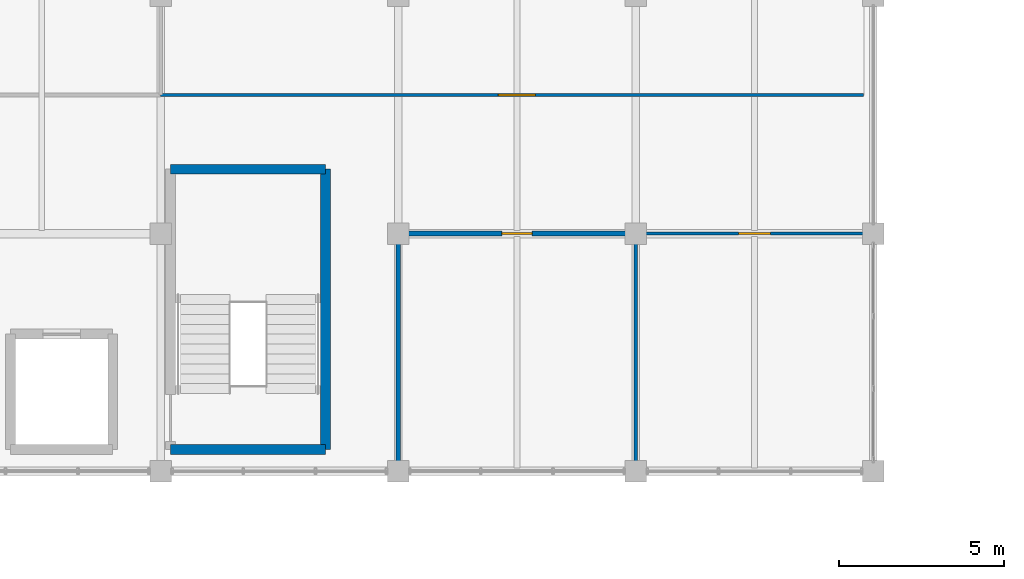
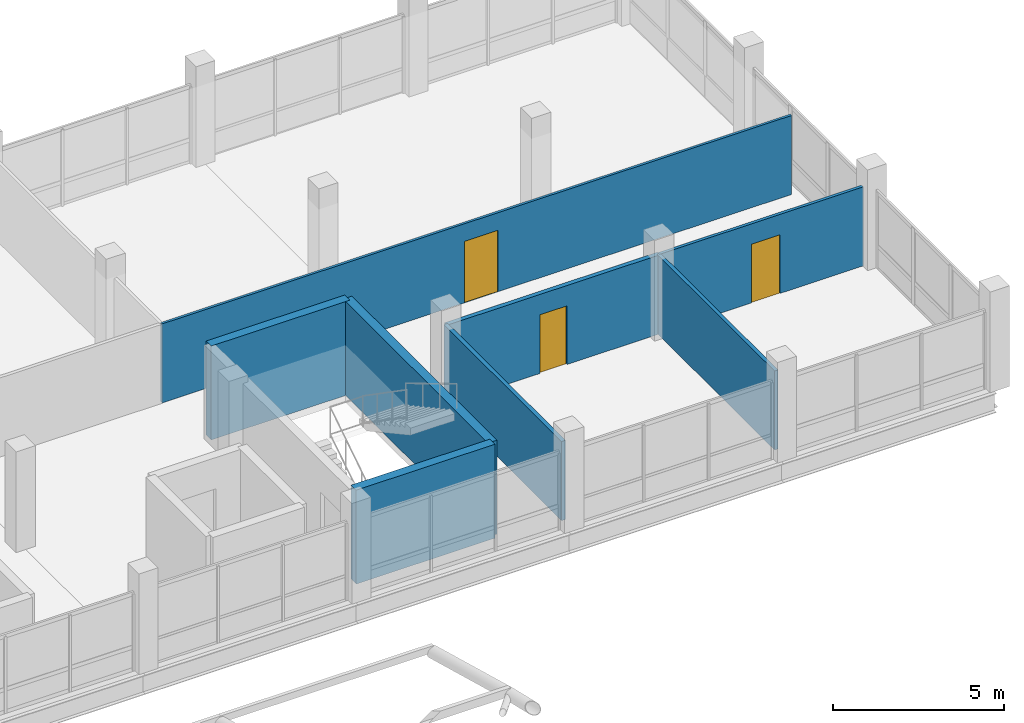
# One storey, part 61 of 96: 8 walls, 3 doors, 3 openings.
"""IFC4 building model written with IfcOpenShell, lengths in metres."""

import ifcopenshell
import ifcopenshell.guid

model = None  # the IFC model being written
_history = None  # IfcOwnerHistory: only IFC2X3 demands one
_inside = {}  # id of a spatial element -> (the spatial element, [elements in it])
_under = {}  # id of a project, library or spatial element -> (it, [spatial elements below it])
_declared = {}  # id of a project -> (the project, [libraries it declares])
_typed = {}  # id of a type object -> (the type object, [elements of that type])
_made_of = {}  # id of a material, layer set ... -> (it, [elements and type objects made of it])


def new_model(schema):
    """Start an empty IFC model of exactly this schema.

    Asked for "IFC4X3", IfcOpenShell would pick the latest addendum, in which some entities
    have other attributes; the version numbers below select the first issue.
    IFC2X3 requires an IfcOwnerHistory on every rooted entity: one is made here for all.
    """
    global model, _history
    if schema == "IFC4X3":
        model = ifcopenshell.file(schema_version=(4, 3, 0, 0))
    else:
        model = ifcopenshell.file(schema=schema)
    _inside.clear()
    _under.clear()
    _declared.clear()
    _typed.clear()
    _made_of.clear()
    _history = None
    if model.schema == "IFC2X3":
        org = make("IfcOrganization", Name="unknown")
        user = make(
            "IfcPersonAndOrganization",
            ThePerson=make("IfcPerson", FamilyName="unknown"),
            TheOrganization=org,
        )
        app = make(
            "IfcApplication",
            ApplicationDeveloper=org,
            Version="unknown",
            ApplicationFullName="unknown",
            ApplicationIdentifier="unknown",
        )
        _history = make(
            "IfcOwnerHistory",
            OwningUser=user,
            OwningApplication=app,
            ChangeAction="ADDED",
            CreationDate=0,
        )
    return model


def make(cls, **values):
    """One entity of the class cls with the attributes given. An attribute that is None is left unset."""
    return model.create_entity(
        cls, **{name: value for name, value in values.items() if value is not None}
    )


def rooted(cls, **values):
    """An entity with a GlobalId (a new one), such as an element, a storey or a relation."""
    return make(cls, GlobalId=ifcopenshell.guid.new(), OwnerHistory=_history, **values)


def si_unit(unit_type, name, prefix=None):
    """IfcSIUnit, for example si_unit("LENGTHUNIT", "METRE", prefix="MILLI")."""
    return make("IfcSIUnit", UnitType=unit_type, Prefix=prefix, Name=name)


def assignment(units):
    """IfcUnitAssignment: the units of a project."""
    return None if units is None else make("IfcUnitAssignment", Units=units)


def point(xyz):
    """IfcCartesianPoint."""
    return None if xyz is None else make("IfcCartesianPoint", Coordinates=xyz)


def direction(xyz):
    """IfcDirection."""
    return None if xyz is None else make("IfcDirection", DirectionRatios=xyz)


def frame(location, z_axis=None, x_axis=None):
    """IfcAxis2Placement3D, a coordinate frame: its origin and axes. An axis left out is left unset."""
    return make(
        "IfcAxis2Placement3D",
        Location=point(location),
        Axis=direction(z_axis),
        RefDirection=direction(x_axis),
    )


def frame_2d(location, x_axis=None):
    """IfcAxis2Placement2D, a coordinate frame in the plane: its origin and x axis."""
    return make(
        "IfcAxis2Placement2D", Location=point(location), RefDirection=direction(x_axis)
    )


def origin():
    """The frame at (0, 0, 0) with its axes left unset."""
    return frame((0.0, 0.0, 0.0))


def place(relative_to, where):
    """IfcLocalPlacement: puts the frame where relative to a parent placement (None: the world)."""
    return make(
        "IfcLocalPlacement", PlacementRelTo=relative_to, RelativePlacement=where
    )


def context(
    kind, dimensions, precision=None, world=None, true_north=None, identifier=None
):
    """IfcGeometricRepresentationContext, for example the 3D "Model" context."""
    return make(
        "IfcGeometricRepresentationContext",
        ContextIdentifier=identifier,
        ContextType=kind,
        CoordinateSpaceDimension=dimensions,
        Precision=precision,
        WorldCoordinateSystem=world,
        TrueNorth=true_north,
    )


def subcontext(parent, identifier, kind, view, scale=None):
    """IfcGeometricRepresentationSubContext, for example "Body" below "Model"."""
    return make(
        "IfcGeometricRepresentationSubContext",
        ContextIdentifier=identifier,
        ContextType=kind,
        ParentContext=parent,
        TargetScale=scale,
        TargetView=view,
    )


def project(units=None, contexts=None):
    """IfcProject with its units and contexts."""
    return rooted(
        "IfcProject",
        Name="project",
        RepresentationContexts=contexts,
        UnitsInContext=assignment(units),
    )


def spatial(cls, under=None, at=None, **own):
    """A site, building, storey or space (cls), placed at a placement, below another one or the project."""
    s = rooted(cls, ObjectPlacement=at, **own)
    if under is not None:
        _under.setdefault(under.id(), (under, []))[1].append(s)
    return s


def profile(cls, at=None, kind="AREA", **sizes):
    """A parametric profile (cls). Its sizes go by their IFC names, for example OverallWidth=200.0."""
    return make(cls, ProfileType=kind, Position=at, **sizes)


def rectangle(**sizes):
    """IfcRectangleProfileDef."""
    return profile("IfcRectangleProfileDef", **sizes)


def extrude(swept, where, along, depth):
    """IfcExtrudedAreaSolid: the profile swept, set in the frame where, extruded along a direction by depth."""
    return make(
        "IfcExtrudedAreaSolid",
        SweptArea=swept,
        Position=where,
        ExtrudedDirection=direction(along),
        Depth=depth,
    )


def shape(context_of_items, identifier, shape_type, items):
    """IfcShapeRepresentation: the items that make up one representation, for example the "Body"."""
    return make(
        "IfcShapeRepresentation",
        ContextOfItems=context_of_items,
        RepresentationIdentifier=identifier,
        RepresentationType=shape_type,
        Items=items,
    )


def material(Name=None, Category=None):
    """IfcMaterial."""
    return make("IfcMaterial", Name=Name, Category=Category)


def layer(
    of_material, thickness, ventilated=None, Name=None, Category=None, Priority=None
):
    """IfcMaterialLayer: one layer of a wall or slab, of a material (None: an air gap)."""
    return make(
        "IfcMaterialLayer",
        Material=of_material,
        LayerThickness=thickness,
        IsVentilated=ventilated,
        Name=Name,
        Category=Category,
        Priority=Priority,
    )


def layer_set(layers, Name=None):
    """IfcMaterialLayerSet."""
    return make("IfcMaterialLayerSet", MaterialLayers=layers, LayerSetName=Name)


def made_of(thing, what):
    """Note that an element or type object is made of a material, layer set ...; save() writes the relation."""
    if what is not None:
        _made_of.setdefault(what.id(), (what, []))[1].append(thing)
    return thing


def type_object(cls, material=None, **own):
    """A type object (cls), such as IfcWallType, which elements share."""
    return made_of(rooted(cls, **own), material)


def element(
    cls,
    number,
    at=None,
    inside=None,
    cuts=None,
    type_object=None,
    material=None,
    context=None,
    identifier="Body",
    shape_type=None,
    held_by="IfcProductDefinitionShape",
    body=None,
    shapes=None,
    **own,
):
    """One element of the class cls, such as IfcWall. Its Tag is "e" and its number.

    at: its placement. inside: the storey or other place that contains it. cuts: it is an
    opening in that element (IfcRelVoidsElement). A single representation is given by context,
    identifier, shape_type and body (its items); several are given by shapes. held_by: the class
    of the entity that holds the representations. save() writes the other relations.
    """
    e = rooted(cls, Tag="e%d" % number, ObjectPlacement=at, **own)
    if body is not None:
        shapes = [shape(context, identifier, shape_type, body)]
    if shapes is not None:
        e.Representation = make(held_by, Representations=shapes)
    if inside is not None:
        _inside.setdefault(inside.id(), (inside, []))[1].append(e)
    if cuts is not None:
        rooted(
            "IfcRelVoidsElement", RelatingBuildingElement=cuts, RelatedOpeningElement=e
        )
    if type_object is not None:
        _typed.setdefault(type_object.id(), (type_object, []))[1].append(e)
    return made_of(e, material)


def fill(opening, filler):
    """IfcRelFillsElement: the door or window that sits in an opening."""
    return rooted(
        "IfcRelFillsElement",
        RelatingOpeningElement=opening,
        RelatedBuildingElement=filler,
    )


def aggregate(whole, parts):
    """IfcRelAggregates: a whole, such as a stair, and the parts it consists of."""
    return rooted("IfcRelAggregates", RelatingObject=whole, RelatedObjects=parts)


def save(model, path):
    """Write the relations noted so far, then the file.

    IfcRelAggregates (storeys below a building ...), IfcRelContainedInSpatialStructure (elements
    in a storey), IfcRelDefinesByType, IfcRelAssociatesMaterial and IfcRelDeclares: one each for
    every whole, place, type object, material and project.
    """
    for whole, parts in _under.values():
        aggregate(whole, parts)
    for where, things in _inside.values():
        rooted(
            "IfcRelContainedInSpatialStructure",
            RelatedElements=things,
            RelatingStructure=where,
        )
    for kind, things in _typed.values():
        rooted("IfcRelDefinesByType", RelatedObjects=things, RelatingType=kind)
    for what, things in _made_of.values():
        rooted("IfcRelAssociatesMaterial", RelatedObjects=things, RelatingMaterial=what)
    for by, libraries in _declared.values():
        rooted("IfcRelDeclares", RelatingContext=by, RelatedDefinitions=libraries)
    model.write(path)


model = new_model("IFC4")

# Units and contexts
model_context = context("Model", 3, precision=1e-05, world=origin(), true_north=direction((0.0, 1.0)))
body_context = subcontext(model_context, "Body", "Model", "MODEL_VIEW")
ifc_project = project(units=[si_unit("LENGTHUNIT", "METRE"), si_unit("AREAUNIT", "SQUARE_METRE"), si_unit("VOLUMEUNIT", "CUBIC_METRE"), si_unit("PLANEANGLEUNIT", "RADIAN"), si_unit("MASSUNIT", "GRAM", prefix="KILO")], contexts=[model_context])

# Site, building, storey
site_placement = place(None, origin())
site = spatial("IfcSite", under=ifc_project, at=site_placement, CompositionType="ELEMENT")
building_placement = place(site_placement, origin())
building = spatial("IfcBuilding", under=site, at=building_placement, Name="Yarey Park Central Fire Station", CompositionType="ELEMENT")
storey_placement = place(building_placement, frame((0.0, 0.0, 14.39990234375)))
storey = spatial("IfcBuildingStorey", under=building, at=storey_placement, Name="L04", CompositionType="ELEMENT", Elevation=14.39990234375)

# Walls
ifc_material_1 = material(Name="Concrete C40/50", Category="concrete")
ifc_layer_1 = layer(ifc_material_1, 0.300048828125)
ifc_layer_set_1 = layer_set([ifc_layer_1], Name="Concrete C40/50")
wall_type_1 = type_object("IfcWallType", Name="INT_CORE_RC300", PredefinedType="SHEAR", material=ifc_layer_set_1)
for number, where, z_axis, x_axis, name in (
    (1, (137.10009765625, 94.25, 0.0), (0.0, 0.0, 1.0), (1.0, 0.0, 0.0), "CWALL_C2_L04_S"),
    (2, (141.800048828125, 102.75, 0.0), (0.0, 0.0, 1.0), (-1.0, 0.0, 0.0), "CWALL_C2_L04_N"),
):
    element("IfcWall", number, at=place(storey_placement, frame(where, z_axis=z_axis, x_axis=x_axis)), inside=storey, type_object=wall_type_1, Name=name, PredefinedType="SHEAR", context=body_context, shape_type="SweptSolid", body=[
        extrude(rectangle(XDim=4.699951171875, YDim=0.300048828125, at=frame_2d((2.35009765625, 0.0))), origin(), (0.0, 0.0, 1.0), 3.360107421875),
    ])
wall_1_placement = place(storey_placement, frame((141.800048828125, 94.25, 0.0), z_axis=(0.0, 0.0, 1.0), x_axis=(0.0, 1.0, 0.0)))
element("IfcWall", 3, at=wall_1_placement, inside=storey, type_object=wall_type_1, Name="CWALL_C2_L04_E", PredefinedType="SHEAR", context=body_context, shape_type="SweptSolid", body=[
    extrude(rectangle(XDim=8.5, YDim=0.300048828125, at=frame_2d((4.25, 0.0))), origin(), (0.0, 0.0, 1.0), 3.360107421875),
])

# Wall, opening, door
ifc_material_2 = material(Name="Gypsum Shaftliner Assembly", Category="gypsum")
ifc_layer_2 = layer(ifc_material_2, 0.14990234375)
ifc_layer_set_2 = layer_set([ifc_layer_2], Name="Gypsum Shaftliner Assembly")
wall_type_2 = type_object("IfcWallType", Name="INT_WALL_AC150", PredefinedType="STANDARD", material=ifc_layer_set_2)
wall_2_placement = place(storey_placement, frame((151.199951171875, 100.800048828125, 0.0), z_axis=(0.0, 0.0, 1.0), x_axis=(-1.0, 0.0, 0.0)))
wall_2 = element("IfcWall", 4, at=wall_2_placement, inside=storey, type_object=wall_type_2, Name="PART_SPC_L04_V4_WCM_NORTH", PredefinedType="STANDARD", context=body_context, shape_type="SweptSolid", body=[
    extrude(rectangle(XDim=7.199951171875, YDim=0.14990234375, at=frame_2d((3.60009765625, 0.0))), origin(), (0.0, 0.0, 1.0), 2.8271484375),
])
opening_1_placement = place(wall_2_placement, frame((3.139892578125, 0.0, 0.0)))
opening_1 = element("IfcOpeningElement", 5, at=opening_1_placement, cuts=wall_2, Name="Opening WD-092", PredefinedType="OPENING", context=body_context, shape_type="SweptSolid", body=[
    extrude(rectangle(XDim=0.919921875, YDim=2.10009765625, at=frame_2d((0.4599609375, 1.050048828125))), frame((0.0, 0.0849609375, 0.0), z_axis=(0.0, -1.0, 0.0), x_axis=(1.0, 0.0, 0.0)), (0.0, 0.0, 1.0), 0.169921875),
])
ifc_material_3 = material(Name="Phenolic Moisture-Resistant Leaf", Category="wood")
door_type_1 = type_object("IfcDoorType", Name="DR_WC_920", OperationType="NOTDEFINED", PredefinedType="DOOR", material=ifc_material_3)
door_1_placement = place(opening_1_placement, origin())
door_1 = element("IfcDoor", 6, at=door_1_placement, inside=storey, type_object=door_type_1, Name="DOOR_SPC_L04_V4_WCM", OperationType="SINGLE_SWING_LEFT", OverallHeight=2.10009765625, OverallWidth=0.919921875, PredefinedType="DOOR", context=body_context, shape_type="SweptSolid", body=[
    extrude(rectangle(XDim=0.919921875, YDim=2.10009765625, at=frame_2d((0.4599609375, 1.050048828125))), frame((0.0, 0.02490234375, 0.0), z_axis=(0.0, -1.0, 0.0), x_axis=(1.0, 0.0, 0.0)), (0.0, 0.0, 1.0), 0.050048828125),
])
fill(opening_1, door_1)

ifc_material_4 = material(Name="Gypsum Acoustic Partition", Category="gypsum")
ifc_layer_3 = layer(ifc_material_4, 0.0859375)
ifc_layer_set_3 = layer_set([ifc_layer_3], Name="Gypsum Acoustic Partition")
wall_type_3 = type_object("IfcWallType", Name="INT_WALL_PT086", PredefinedType="STANDARD", material=ifc_layer_set_3)
wall_3_placement = place(storey_placement, frame((136.800048828125, 105.0, 0.0), z_axis=(0.0, 0.0, 1.0), x_axis=(1.0, 0.0, 0.0)))
wall_3 = element("IfcWall", 7, at=wall_3_placement, inside=storey, type_object=wall_type_3, Name="PART_SPC_L04_ENG2_SOUTH", PredefinedType="STANDARD", context=body_context, shape_type="SweptSolid", body=[
    extrude(rectangle(XDim=21.300048828125, YDim=0.0859375, at=frame_2d((10.64990234375, 0.0))), origin(), (0.0, 0.0, 1.0), 2.8271484375),
])
opening_2_placement = place(wall_3_placement, frame((10.239990234375, 0.0, 0.0)))
opening_2 = element("IfcOpeningElement", 8, at=opening_2_placement, cuts=wall_3, Name="Opening ID-112", PredefinedType="OPENING", context=body_context, shape_type="SweptSolid", body=[
    extrude(rectangle(XDim=1.1201171875, YDim=2.199951171875, at=frame_2d((0.56005859375, 1.10009765625))), frame((0.0, 0.052978515625, 0.0), z_axis=(0.0, -1.0, 0.0), x_axis=(1.0, 0.0, 0.0)), (0.0, 0.0, 1.0), 0.10595703125),
])
ifc_material_5 = material(Name="Hardwood Acoustic Leaf", Category="wood")
door_type_2 = type_object("IfcDoorType", Name="DR_INT_1120", OperationType="NOTDEFINED", PredefinedType="DOOR", material=ifc_material_5)
door_2_placement = place(opening_2_placement, origin())
door_2 = element("IfcDoor", 9, at=door_2_placement, inside=storey, type_object=door_type_2, Name="DOOR_SPC_L04_ENG2", OperationType="SINGLE_SWING_RIGHT", OverallHeight=2.199951171875, OverallWidth=1.1201171875, PredefinedType="DOOR", context=body_context, shape_type="SweptSolid", body=[
    extrude(rectangle(XDim=1.1201171875, YDim=2.199951171875, at=frame_2d((0.56005859375, 1.10009765625))), frame((0.0, 0.02490234375, 0.0), z_axis=(0.0, -1.0, 0.0), x_axis=(1.0, 0.0, 0.0)), (0.0, 0.0, 1.0), 0.050048828125),
])
fill(opening_2, door_2)

ifc_layer_4 = layer(ifc_material_4, 0.10205078125)
ifc_layer_set_4 = layer_set([ifc_layer_4], Name="Gypsum Acoustic Partition")
wall_type_4 = type_object("IfcWallType", Name="INT_WALL_PT102", PredefinedType="STANDARD", material=ifc_layer_set_4)
wall_4_placement = place(storey_placement, frame((158.10009765625, 100.800048828125, 0.0), z_axis=(0.0, 0.0, 1.0), x_axis=(-1.0, 0.0, 0.0)))
wall_4 = element("IfcWall", 10, at=wall_4_placement, inside=storey, type_object=wall_type_4, Name="PART_SPC_L04_V4_WCA_NORTH", PredefinedType="STANDARD", context=body_context, shape_type="SweptSolid", body=[
    extrude(rectangle(XDim=6.900146484375, YDim=0.10205078125, at=frame_2d((3.4501953125, 0.0))), origin(), (0.0, 0.0, 1.0), 2.8271484375),
])
opening_3_placement = place(wall_4_placement, frame((2.820068359375, 0.0, 0.0)))
opening_3 = element("IfcOpeningElement", 11, at=opening_3_placement, cuts=wall_4, Name="Opening WD-096", PredefinedType="OPENING", context=body_context, shape_type="SweptSolid", body=[
    extrude(rectangle(XDim=0.9599609375, YDim=2.10009765625, at=frame_2d((0.47998046875, 1.050048828125))), frame((0.0, 0.06103515625, 0.0), z_axis=(0.0, -1.0, 0.0), x_axis=(1.0, 0.0, 0.0)), (0.0, 0.0, 1.0), 0.1220703125),
])
door_type_3 = type_object("IfcDoorType", Name="DR_WC_960", OperationType="NOTDEFINED", PredefinedType="DOOR", material=ifc_material_3)
door_3_placement = place(opening_3_placement, origin())
door_3 = element("IfcDoor", 12, at=door_3_placement, inside=storey, type_object=door_type_3, Name="DOOR_SPC_L04_V4_WCA", OperationType="SINGLE_SWING_RIGHT", OverallHeight=2.10009765625, OverallWidth=0.9599609375, PredefinedType="DOOR", context=body_context, shape_type="SweptSolid", body=[
    extrude(rectangle(XDim=0.9599609375, YDim=2.10009765625, at=frame_2d((0.47998046875, 1.050048828125))), frame((0.0, 0.02490234375, 0.0), z_axis=(0.0, -1.0, 0.0), x_axis=(1.0, 0.0, 0.0)), (0.0, 0.0, 1.0), 0.050048828125),
])
fill(opening_3, door_3)

# Walls
ifc_layer_5 = layer(ifc_material_4, 0.117919921875)
ifc_layer_set_5 = layer_set([ifc_layer_5], Name="Gypsum Acoustic Partition")
wall_type_5 = type_object("IfcWallType", Name="INT_WALL_PT118", PredefinedType="STANDARD", material=ifc_layer_set_5)
wall_5_placement = place(storey_placement, frame((151.199951171875, 93.89990234375, 0.0), z_axis=(0.0, 0.0, 1.0), x_axis=(0.0, 1.0, 0.0)))
element("IfcWall", 13, at=wall_5_placement, inside=storey, type_object=wall_type_5, Name="PART_SPC_L04_V4_WCM_EAST", PredefinedType="STANDARD", context=body_context, shape_type="SweptSolid", body=[
    extrude(rectangle(XDim=6.900146484375, YDim=0.117919921875, at=frame_2d((3.4501953125, 0.0))), origin(), (0.0, 0.0, 1.0), 2.8271484375),
])
ifc_layer_6 = layer(ifc_material_4, 0.134033203125)
ifc_layer_set_6 = layer_set([ifc_layer_6], Name="Gypsum Acoustic Partition")
wall_type_6 = type_object("IfcWallType", Name="INT_WALL_PT134", PredefinedType="STANDARD", material=ifc_layer_set_6)
wall_6_placement = place(storey_placement, frame((144.0, 100.800048828125, 0.0), z_axis=(0.0, 0.0, 1.0), x_axis=(0.0, -1.0, 0.0)))
element("IfcWall", 14, at=wall_6_placement, inside=storey, type_object=wall_type_6, Name="PART_SPC_L04_V4_WCM_WEST", PredefinedType="STANDARD", context=body_context, shape_type="SweptSolid", body=[
    extrude(rectangle(XDim=6.900146484375, YDim=0.134033203125, at=frame_2d((3.4501953125, 0.0))), origin(), (0.0, 0.0, 1.0), 2.8271484375),
])

save(model, "model.ifc")
